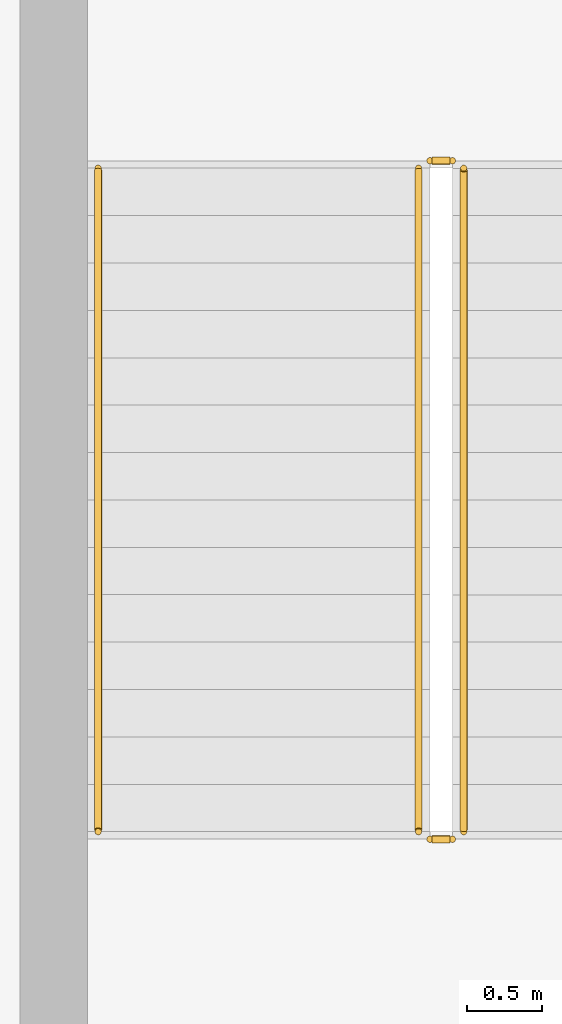
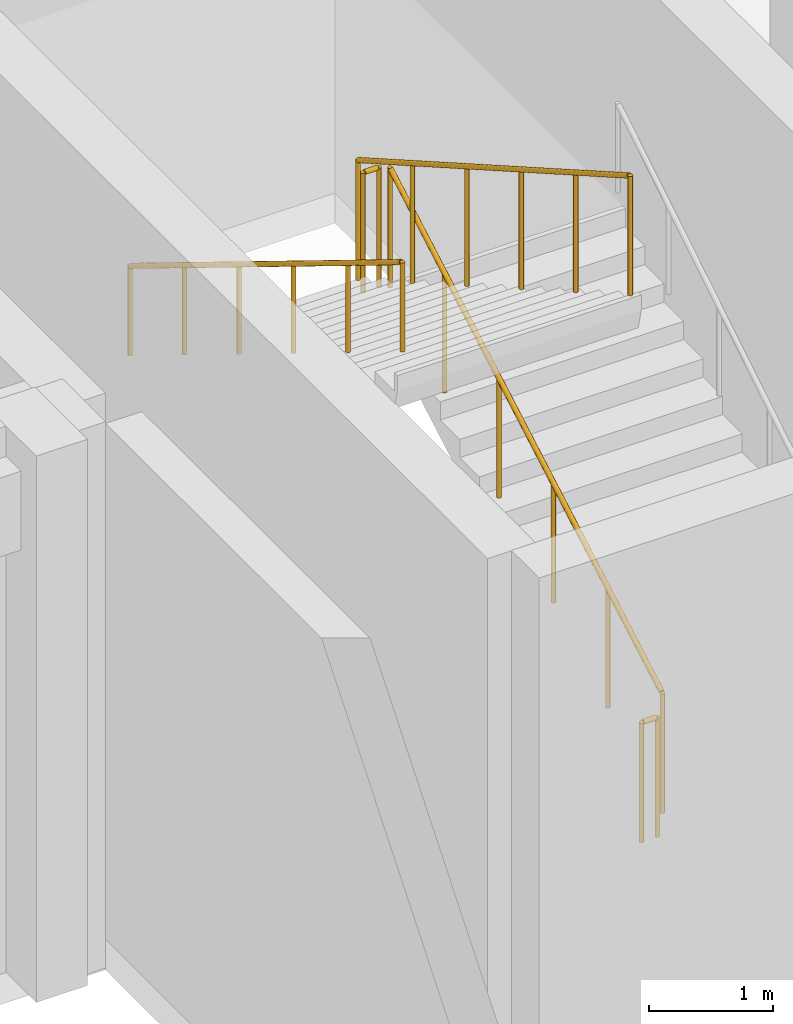
# One storey, part 119 of 134: 5 railings.
"""IFC4 building model written with IfcOpenShell, lengths in metres."""

from ifc_helpers import new_model, si_unit, direction, frame, origin, origin_2d, place, context, subcontext, project, spatial, circle, extrude, material, type_object, element, save


model = new_model("IFC4")

# Units and contexts
model_context = context("Model", 3, precision=1e-05, world=origin(), true_north=direction((0.0, 1.0)))
body_context = subcontext(model_context, "Body", "Model", "MODEL_VIEW")
ifc_project = project(units=[si_unit("LENGTHUNIT", "METRE"), si_unit("AREAUNIT", "SQUARE_METRE"), si_unit("VOLUMEUNIT", "CUBIC_METRE"), si_unit("PLANEANGLEUNIT", "RADIAN"), si_unit("MASSUNIT", "GRAM", prefix="KILO")], contexts=[model_context])

# Site, building, storey
site_placement = place(None, origin())
site = spatial("IfcSite", under=ifc_project, at=site_placement, CompositionType="ELEMENT")
building_placement = place(site_placement, origin())
building = spatial("IfcBuilding", under=site, at=building_placement, Name="Nakhvara Creek Congress Hotel", CompositionType="ELEMENT")
storey_placement = place(building_placement, frame((0.0, 0.0, 6.0)))
storey = spatial("IfcBuildingStorey", under=building, at=storey_placement, Name="L01", CompositionType="ELEMENT", Elevation=6.0)

# Railings
ifc_material = material(Name="Brushed stainless steel 316L", Category="steel")
railing_type_1 = type_object("IfcRailingType", Name="RL-GUARD-1200", PredefinedType="GUARDRAIL", material=ifc_material)
railing_1_placement = place(storey_placement, frame((62.27490234375, 32.679931640625, 0.179931640625)))
element("IfcRailing", 1, at=railing_1_placement, inside=storey, type_object=railing_type_1, Name="L01 ST13 stair guard 1", PredefinedType="GUARDRAIL", context=body_context, shape_type="SweptSolid", body=[
    extrude(circle(Radius=0.02392578125, at=origin_2d()), frame((0.0, 0.0126953125, 1.18310546875), z_axis=(0.0, 0.868249057775, 0.496128585825), x_axis=(-1.0, 0.0, 0.0)), (0.0, 0.0, 1.0), 5.050048828125),
    extrude(circle(Radius=0.02099609375, at=origin_2d()), origin(), (0.0, 0.0, 1.0), 1.1806640625),
    extrude(circle(Radius=0.02099609375, at=origin_2d()), frame((0.0, 0.882080078125, 0.50390625)), (0.0, 0.0, 1.0), 1.1806640625),
    extrude(circle(Radius=0.02099609375, at=origin_2d()), frame((0.0, 1.76416015625, 1.008056640625)), (0.0, 0.0, 1.0), 1.1806640625),
    extrude(circle(Radius=0.02099609375, at=origin_2d()), frame((0.0, 2.64599609375, 1.511962890625)), (0.0, 0.0, 1.0), 1.1806640625),
    extrude(circle(Radius=0.02099609375, at=origin_2d()), frame((0.0, 3.528076171875, 2.01611328125)), (0.0, 0.0, 1.0), 1.1806640625),
    extrude(circle(Radius=0.02099609375, at=origin_2d()), frame((0.0, 4.41015625, 2.52001953125)), (0.0, 0.0, 1.0), 1.1806640625),
])
railing_2_placement = place(storey_placement, frame((62.199951171875, 37.139892578125, 2.699951171875)))
element("IfcRailing", 2, at=railing_2_placement, inside=storey, type_object=railing_type_1, Name="L01 ST13 stair guard 2", PredefinedType="GUARDRAIL", context=body_context, shape_type="SweptSolid", body=[
    extrude(circle(Radius=0.02392578125, at=origin_2d()), frame((-0.0146484375, 0.0, 1.17578125), z_axis=(-1.0, 0.0, 0.0), x_axis=(0.0, -1.0, 0.0)), (0.0, 0.0, 1.0), 0.12060546875),
    extrude(circle(Radius=0.02099609375, at=origin_2d()), origin(), (0.0, 0.0, 1.0), 1.1806640625),
    extrude(circle(Radius=0.02099609375, at=origin_2d()), frame((-0.14990234375, 0.0, 0.0)), (0.0, 0.0, 1.0), 1.1806640625),
])
railing_3_placement = place(storey_placement, frame((61.97509765625, 37.090087890625, 2.8798828125)))
element("IfcRailing", 3, at=railing_3_placement, inside=storey, type_object=railing_type_1, Name="L01 ST13 stair guard 3", PredefinedType="GUARDRAIL", context=body_context, shape_type="SweptSolid", body=[
    extrude(circle(Radius=0.02392578125, at=origin_2d()), frame((0.0, -0.0126953125, 1.18310546875), z_axis=(0.0, -0.868249057775, 0.496128585825), x_axis=(1.0, 0.0, 0.0)), (0.0, 0.0, 1.0), 5.050048828125),
    extrude(circle(Radius=0.02099609375, at=origin_2d()), origin(), (0.0, 0.0, 1.0), 1.1806640625),
    extrude(circle(Radius=0.02099609375, at=origin_2d()), frame((0.0, -0.882080078125, 0.50390625)), (0.0, 0.0, 1.0), 1.1806640625),
    extrude(circle(Radius=0.02099609375, at=origin_2d()), frame((0.0, -1.76416015625, 1.008056640625)), (0.0, 0.0, 1.0), 1.1806640625),
    extrude(circle(Radius=0.02099609375, at=origin_2d()), frame((0.0, -2.64599609375, 1.511962890625)), (0.0, 0.0, 1.0), 1.1806640625),
    extrude(circle(Radius=0.02099609375, at=origin_2d()), frame((0.0, -3.528076171875, 2.01611328125)), (0.0, 0.0, 1.0), 1.1806640625),
    extrude(circle(Radius=0.02099609375, at=origin_2d()), frame((0.0, -4.41015625, 2.52001953125)), (0.0, 0.0, 1.0), 1.1806640625),
])
railing_4_placement = place(storey_placement, frame((62.199951171875, 32.6298828125, 0.0)))
element("IfcRailing", 4, at=railing_4_placement, inside=storey, type_object=railing_type_1, Name="L01 ST13 stair guard 4", PredefinedType="GUARDRAIL", context=body_context, shape_type="SweptSolid", body=[
    extrude(circle(Radius=0.02392578125, at=origin_2d()), frame((-0.0146484375, 0.0, 1.17578125), z_axis=(-1.0, 0.0, 0.0), x_axis=(0.0, -1.0, 0.0)), (0.0, 0.0, 1.0), 0.12060546875),
    extrude(circle(Radius=0.02099609375, at=origin_2d()), origin(), (0.0, 0.0, 1.0), 1.1806640625),
    extrude(circle(Radius=0.02099609375, at=origin_2d()), frame((-0.14990234375, 0.0, 0.0)), (0.0, 0.0, 1.0), 1.1806640625),
])
railing_type_2 = type_object("IfcRailingType", Name="RL-HAND-900", PredefinedType="HANDRAIL", material=ifc_material)
railing_5_placement = place(storey_placement, frame((59.844970703125, 37.090087890625, 2.8798828125)))
element("IfcRailing", 5, at=railing_5_placement, inside=storey, type_object=railing_type_2, Name="L01 ST13 stair handrail 2", PredefinedType="HANDRAIL", context=body_context, shape_type="SweptSolid", body=[
    extrude(circle(Radius=0.02392578125, at=origin_2d()), frame((0.0, -0.012451171875, 0.883544921875), z_axis=(0.0, -0.851896254754, 0.523710579553), x_axis=(1.0, 0.0, 0.0)), (0.0, 0.0, 1.0), 5.1474609375),
    extrude(circle(Radius=0.02099609375, at=origin_2d()), origin(), (0.0, 0.0, 1.0), 0.880615234375),
    extrude(circle(Radius=0.02099609375, at=origin_2d()), frame((0.0, -0.882080078125, 0.542236328125)), (0.0, 0.0, 1.0), 0.880615234375),
    extrude(circle(Radius=0.02099609375, at=origin_2d()), frame((0.0, -1.76416015625, 1.08447265625)), (0.0, 0.0, 1.0), 0.880615234375),
    extrude(circle(Radius=0.02099609375, at=origin_2d()), frame((0.0, -2.64599609375, 1.626708984375)), (0.0, 0.0, 1.0), 0.880615234375),
    extrude(circle(Radius=0.02099609375, at=origin_2d()), frame((0.0, -3.528076171875, 2.1689453125)), (0.0, 0.0, 1.0), 0.880615234375),
    extrude(circle(Radius=0.02099609375, at=origin_2d()), frame((0.0, -4.41015625, 2.711181640625)), (0.0, 0.0, 1.0), 0.880615234375),
])

save(model, "model.ifc")
